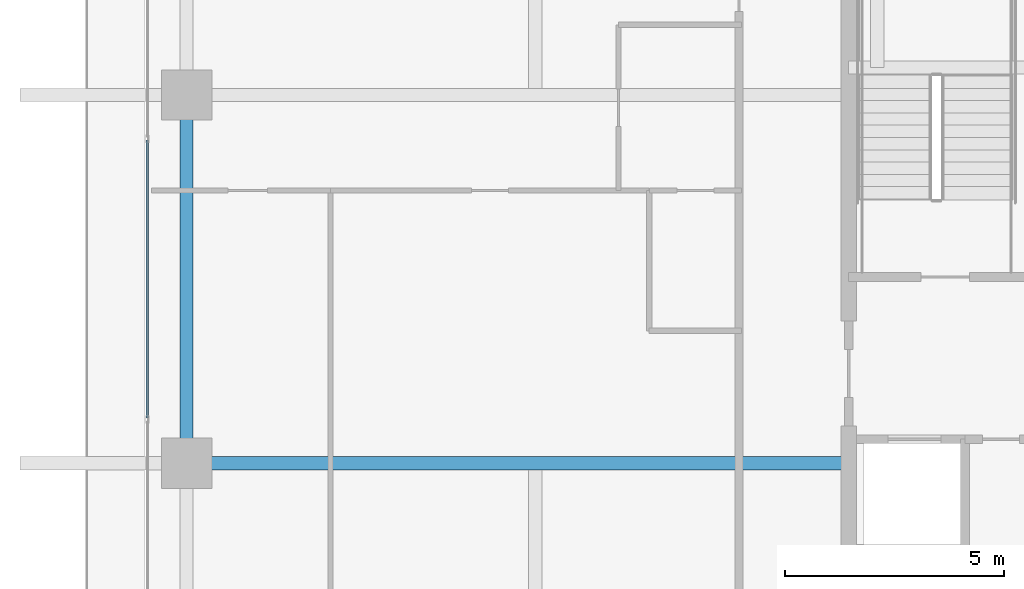
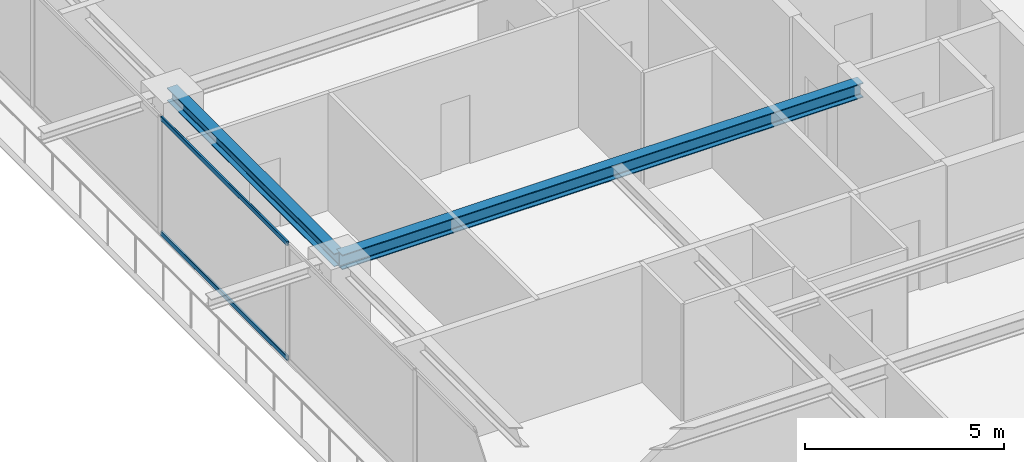
# One storey, part 8 of 37: 2 beams, 2 members, 1 element without a shape of its own.
"""IFC4 building model written with IfcOpenShell, lengths in metres."""

from ifc_helpers import new_model, si_unit, direction, frame, origin, origin_2d, place, context, subcontext, project, spatial, hollow_rectangle, i_section, extrude, source, transform, mapped, material, layer, layer_set, material_profile, profile_set, type_object, element, aggregate, save


model = new_model("IFC4")

# Units and contexts
model_context = context("Model", 3, precision=1e-05, world=origin(), true_north=direction((0.0, 1.0)))
body_context = subcontext(model_context, "Body", "Model", "MODEL_VIEW")
ifc_project = project(units=[si_unit("LENGTHUNIT", "METRE"), si_unit("AREAUNIT", "SQUARE_METRE"), si_unit("VOLUMEUNIT", "CUBIC_METRE"), si_unit("PLANEANGLEUNIT", "RADIAN"), si_unit("MASSUNIT", "GRAM", prefix="KILO")], contexts=[model_context])

# Site, building, storey
site_placement = place(None, origin())
site = spatial("IfcSite", under=ifc_project, at=site_placement, CompositionType="ELEMENT")
building_placement = place(site_placement, origin())
building = spatial("IfcBuilding", under=site, at=building_placement, Name="Serunith Strait Residences", CompositionType="ELEMENT")
storey_placement = place(building_placement, frame((0.0, 0.0, 279.75)))
storey = spatial("IfcBuildingStorey", under=building, at=storey_placement, Name="L70", CompositionType="ELEMENT", Elevation=279.75)

# Beams
ifc_material_1 = material(Name="Steel S355J2", Category="steel")
ifc_material_profile_1 = material_profile(ifc_material_1, i_section(OverallWidth=0.300048828125, OverallDepth=0.449951171875, WebThickness=0.013916015625, FlangeThickness=0.02587890625, FilletRadius=0.027099609375, at=origin_2d()), Name="HEB 450")
ifc_profile_set_1 = profile_set([ifc_material_profile_1], Name="Steel S355J2")
beam_type_1 = type_object("IfcBeamType", Name="BM-HEB450", PredefinedType="BEAM", material=ifc_profile_set_1)
shared_shape_1 = source(origin(), body_context, "Body", "SweptSolid", [
    extrude(i_section(OverallWidth=0.300048828125, OverallDepth=0.449951171875, WebThickness=0.013916015625, FlangeThickness=0.02587890625, FilletRadius=0.027099609375, at=origin_2d()), origin(), (0.0, 0.0, 1.0), 15.099853515625),
])
beam_1_placement = place(storey_placement, frame((23.39990234375, 21.0, 3.362060546875), z_axis=(-1.0, 0.0, 0.0), x_axis=(0.0, -1.0, 0.0)))
element("IfcBeam", 1, at=beam_1_placement, inside=storey, type_object=beam_type_1, Name="L70 Primary Floor Girder TC-W2", PredefinedType="BEAM", context=body_context, shape_type="MappedRepresentation", body=[
    mapped(shared_shape_1, transform((0.0, 0.0, 0.0), scale=1.0)),
])
ifc_material_profile_2 = material_profile(ifc_material_1, i_section(OverallWidth=0.300048828125, OverallDepth=0.39990234375, WebThickness=0.013427734375, FlangeThickness=0.02392578125, FilletRadius=0.027099609375, at=origin_2d()), Name="HEB 400")
ifc_profile_set_2 = profile_set([ifc_material_profile_2], Name="Steel S355J2")
beam_type_2 = type_object("IfcBeamType", Name="BM-HEB400", PredefinedType="BEAM", material=ifc_profile_set_2)
shared_shape_2 = source(origin(), body_context, "Body", "SweptSolid", [
    extrude(i_section(OverallWidth=0.300048828125, OverallDepth=0.39990234375, WebThickness=0.013427734375, FlangeThickness=0.02392578125, FilletRadius=0.027099609375, at=origin_2d()), origin(), (0.0, 0.0, 1.0), 8.39990234375),
])
beam_2_placement = place(storey_placement, frame((8.300048828125, 29.39990234375, 3.386962890625), z_axis=(0.0, -1.0, 0.0), x_axis=(1.0, 0.0, 0.0)))
element("IfcBeam", 2, at=beam_2_placement, inside=storey, type_object=beam_type_2, Name="L70 Perimeter Ring Beam 14", PredefinedType="BEAM", context=body_context, shape_type="MappedRepresentation", body=[
    mapped(shared_shape_2, transform((0.0, 0.0, 0.0), scale=1.0)),
])

# Curtain wall, members
ifc_material_2 = material(Name="Pale-Champagne Anodised Aluminium", Category="aluminium")
ifc_layer = layer(ifc_material_2, 0.199951171875, Name="Pale-Champagne Anodised Aluminium")
ifc_layer_set = layer_set([ifc_layer], Name="Pale-Champagne Anodised Aluminium")
curtain_wall_type = type_object("IfcCurtainWallType", Name="CW-SYS4", PredefinedType="NOTDEFINED", material=ifc_layer_set)
curtain_wall_placement = place(storey_placement, origin())
curtain_wall = element("IfcCurtainWall", 3, at=curtain_wall_placement, inside=storey, type_object=curtain_wall_type, Name="L70 W Unitised Fritted Curtain Wall", PredefinedType="NOTDEFINED")
ifc_material_profile_3 = material_profile(ifc_material_2, hollow_rectangle(XDim=0.06005859375, YDim=0.139892578125, WallThickness=0.00341796875, InnerFilletRadius=0.00537109375, OuterFilletRadius=0.0087890625, at=origin_2d()), Name="ALU 140x60x3.5")
ifc_profile_set_3 = profile_set([ifc_material_profile_3], Name="Pale-Champagne Anodised Aluminium")
member_type = type_object("IfcMemberType", Name="CW-SYS4-TRAN", PredefinedType="USERDEFINED", material=ifc_profile_set_3)
shared_shape_3 = source(origin(), body_context, "Body", "SweptSolid", [
    extrude(hollow_rectangle(XDim=0.06005859375, YDim=0.139892578125, WallThickness=0.00341796875, InnerFilletRadius=0.00537109375, OuterFilletRadius=0.0087890625, at=origin_2d()), origin(), (0.0, 0.0, 1.0), 6.3349609375),
])
member_1_placement = place(storey_placement, frame((7.39990234375, 28.367431640625, 0.030029296875), z_axis=(0.0, -1.0, 0.0), x_axis=(1.0, 0.0, 0.0)))
member_1 = element("IfcMember", 4, at=member_1_placement, type_object=member_type, Name="CW-4 transom 3.1", ObjectType="TRANSOM", PredefinedType="USERDEFINED", context=body_context, shape_type="MappedRepresentation", body=[
    mapped(shared_shape_3, transform((0.0, 0.0, 0.0), scale=1.0)),
])
member_2_placement = place(storey_placement, frame((7.39990234375, 28.367431640625, 3.544921875), z_axis=(0.0, -1.0, 0.0), x_axis=(1.0, 0.0, 0.0)))
member_2 = element("IfcMember", 5, at=member_2_placement, type_object=member_type, Name="CW-4 transom 3.2", ObjectType="TRANSOM", PredefinedType="USERDEFINED", context=body_context, shape_type="MappedRepresentation", body=[
    mapped(shared_shape_3, transform((0.0, 0.0, 0.0), scale=1.0)),
])
aggregate(curtain_wall, [member_1, member_2])

save(model, "model.ifc")
